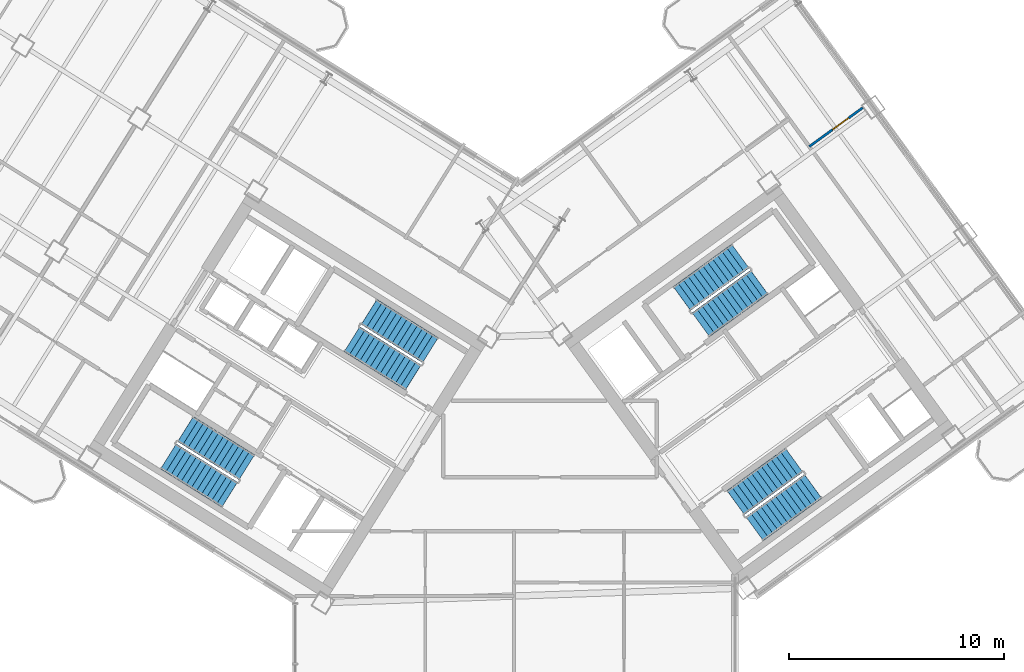
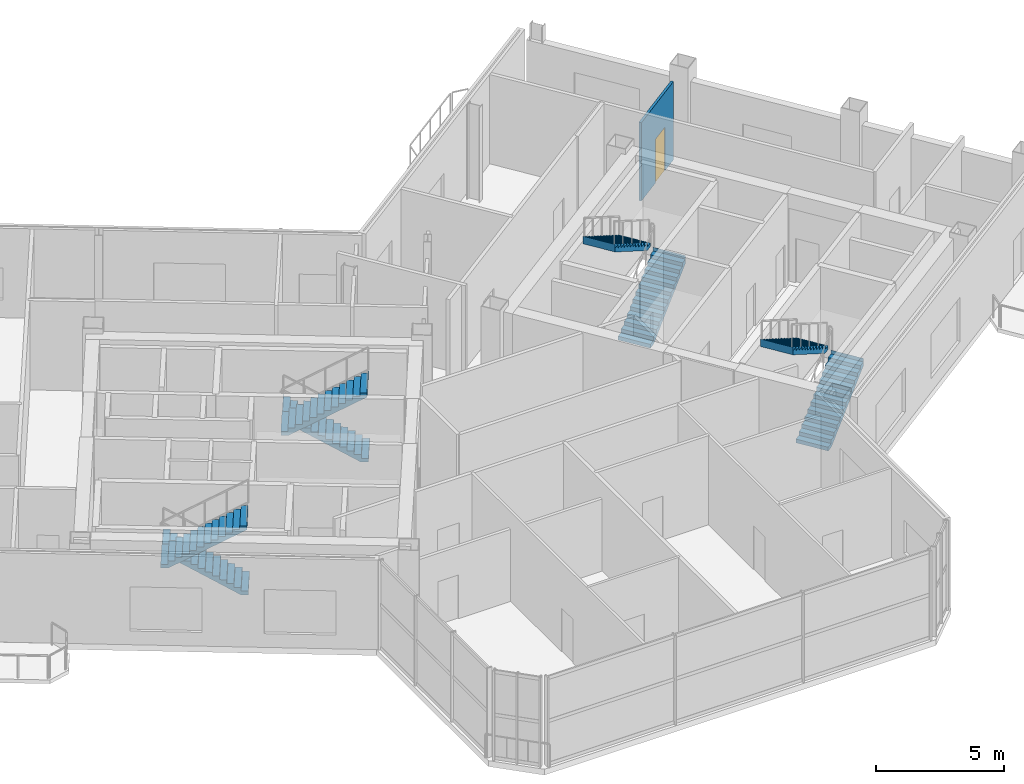
# One storey, part 16 of 21: 8 stair flights, 1 door, 1 wall, 1 opening, 4 elements without a shape of their own.
"""IFC4 building model written with IfcOpenShell, lengths in metres."""

from ifc_helpers import new_model, si_unit, direction, frame, frame_2d, origin, place, context, subcontext, project, spatial, polyline, rectangle, outline, extrude, source, transform, mapped, material, layer, layer_set, type_object, element, fill, aggregate, save


model = new_model("IFC4")

# Units and contexts
model_context = context("Model", 3, precision=1e-05, world=origin(), true_north=direction((0.0, 1.0)))
body_context = subcontext(model_context, "Body", "Model", "MODEL_VIEW")
ifc_project = project(units=[si_unit("LENGTHUNIT", "METRE"), si_unit("AREAUNIT", "SQUARE_METRE"), si_unit("VOLUMEUNIT", "CUBIC_METRE"), si_unit("PLANEANGLEUNIT", "RADIAN"), si_unit("MASSUNIT", "GRAM", prefix="KILO")], contexts=[model_context])

# Site, building, storey
site_placement = place(None, origin())
site = spatial("IfcSite", under=ifc_project, at=site_placement, CompositionType="ELEMENT")
building_placement = place(site_placement, origin())
building = spatial("IfcBuilding", under=site, at=building_placement, Name="Tlacorven Tower", CompositionType="ELEMENT")
storey_placement = place(building_placement, frame((0.0, 0.0, 199.5)))
storey = spatial("IfcBuildingStorey", under=building, at=storey_placement, Name="L50", CompositionType="ELEMENT", Elevation=199.5)

# Wall, opening, door
ifc_material_1 = material(Name="Gypsum plasterboard partition", Category="gypsum")
ifc_layer = layer(ifc_material_1, 0.110107421875)
ifc_layer_set = layer_set([ifc_layer], Name="Gypsum plasterboard partition")
wall_type = type_object("IfcWallType", Name="WL-INT-110", PredefinedType="PARTITIONING", material=ifc_layer_set)
wall_placement = place(storey_placement, frame((55.70263671875, 33.333984375, 0.0), z_axis=(0.0, 0.0, 1.0), x_axis=(0.809044670406, 0.587747157618, 0.0)))
wall = element("IfcWall", 1, at=wall_placement, inside=storey, type_object=wall_type, Name="L50 partition 89", PredefinedType="PARTITIONING", context=body_context, shape_type="SweptSolid", body=[
    extrude(rectangle(XDim=3.077880859375, YDim=0.110107421875, at=frame_2d((1.5390625, 0.0))), origin(), (0.0, 0.0, 1.0), 3.72509765625),
])
opening_placement = place(wall_placement, frame((1.344970703125, 0.0, 0.0)))
opening = element("IfcOpeningElement", 2, at=opening_placement, cuts=wall, Name="Opening D12", PredefinedType="OPENING", context=body_context, shape_type="SweptSolid", body=[
    extrude(rectangle(XDim=0.919921875, YDim=2.080078125, at=frame_2d((0.4599609375, 1.0400390625))), frame((0.0, 0.06494140625, 0.0), z_axis=(0.0, -1.0, 0.0), x_axis=(1.0, 0.0, 0.0)), (0.0, 0.0, 1.0), 0.130126953125),
])
ifc_material_2 = material(Name="Powder-coated aluminium and timber door", Category="wood")
door_type = type_object("IfcDoorType", Name="DR-INT-ROOM-0920", OperationType="NOTDEFINED", PredefinedType="DOOR", material=ifc_material_2)
shared_shape_1 = source(origin(), body_context, "Body", "SweptSolid", [
    extrude(rectangle(XDim=0.919921875, YDim=2.080078125, at=frame_2d((0.4599609375, 1.0400390625))), frame((0.0, 0.02490234375, 0.0), z_axis=(0.0, -1.0, 0.0), x_axis=(1.0, 0.0, 0.0)), (0.0, 0.0, 1.0), 0.050048828125),
])
door_placement = place(opening_placement, origin())
door = element("IfcDoor", 3, at=door_placement, inside=storey, type_object=door_type, Name="L50 door 055", OperationType="SINGLE_SWING_LEFT", OverallHeight=2.080078125, OverallWidth=0.919921875, PredefinedType="DOOR", context=body_context, shape_type="MappedRepresentation", body=[
    mapped(shared_shape_1, transform((0.0, 0.0, 0.0), scale=1.0)),
])
fill(opening, door)

# Stair, stair flights
ifc_material_3 = material(Name="Concrete C40/50", Category="concrete")
stair_type = type_object("IfcStairType", Name="ST-CORE-DLG", PredefinedType="HALF_TURN_STAIR", material=ifc_material_3)
stair_1_placement = place(storey_placement, origin())
stair_1 = element("IfcStair", 4, at=stair_1_placement, inside=storey, type_object=stair_type, Name="L50 Protected Exit Stair West 1", PredefinedType="HALF_TURN_STAIR")
stair_flight_type = type_object("IfcStairFlightType", Name="SFL-RC-1380", PredefinedType="STRAIGHT", material=ifc_material_3)
shared_shape_2 = source(origin(), body_context, "Body", "SweptSolid", [
    extrude(outline(polyline([(-0.0029296875, -0.0029296875), (-0.0029296875, 0.173095703125), (0.280029296875, 0.173095703125), (0.280029296875, 0.34619140625), (0.56005859375, 0.34619140625), (0.56005859375, 0.519287109375), (0.840087890625, 0.519287109375), (0.840087890625, 0.6923828125), (1.1201171875, 0.6923828125), (1.1201171875, 0.865478515625), (1.39990234375, 0.865478515625), (1.39990234375, 1.03857421875), (1.679931640625, 1.03857421875), (1.679931640625, 1.21142578125), (1.9599609375, 1.21142578125), (1.9599609375, 1.384521484375), (2.239990234375, 1.384521484375), (2.239990234375, 1.5576171875), (2.52001953125, 1.5576171875), (2.52001953125, 1.730712890625), (2.800048828125, 1.730712890625), (2.800048828125, 1.90380859375), (3.080078125, 1.90380859375), (3.080078125, 2.076904296875), (3.360107421875, 2.076904296875), (3.360107421875, 2.25), (3.363037109375, 2.25), (3.363037109375, 1.888916015625), (3.360107421875, 1.888916015625), (0.30419921875, 0.0), (0.30419921875, -0.0029296875), (-0.0029296875, -0.0029296875)])), frame((0.0, 0.68994140625, 0.0), z_axis=(0.0, -1.0, 0.0), x_axis=(1.0, 0.0, 0.0)), (0.0, 0.0, 1.0), 1.3798828125),
])
stair_flight_1_placement = place(storey_placement, frame((29.499755859375, 18.39453125, 0.0), z_axis=(0.0, 0.0, 1.0), x_axis=(-0.848048096156, 0.529919264233, 0.0)))
stair_flight_1 = element("IfcStairFlight", 5, at=stair_flight_1_placement, type_object=stair_flight_type, Name="ST-W1 flight 1", NumberOfRisers=13, NumberOfTreads=12, PredefinedType="STRAIGHT", RiserHeight=0.173076923, TreadLength=0.28, context=body_context, shape_type="MappedRepresentation", body=[
    mapped(shared_shape_2, transform((0.0, 0.0, 0.0), scale=1.0)),
])
stair_flight_2_placement = place(storey_placement, frame((25.85546875, 18.903076171875, 2.25), z_axis=(0.0, 0.0, 1.0), x_axis=(0.848048096156, -0.529919264233, 0.0)))
stair_flight_2 = element("IfcStairFlight", 6, at=stair_flight_2_placement, type_object=stair_flight_type, Name="ST-W1 flight 2", NumberOfRisers=13, NumberOfTreads=12, PredefinedType="STRAIGHT", RiserHeight=0.173076923, TreadLength=0.28, context=body_context, shape_type="MappedRepresentation", body=[
    mapped(shared_shape_2, transform((0.0, 0.0, 0.0), scale=1.0)),
])
aggregate(stair_1, [stair_flight_1, stair_flight_2])

stair_2_placement = place(storey_placement, origin())
stair_2 = element("IfcStair", 7, at=stair_2_placement, inside=storey, type_object=stair_type, Name="L50 Protected Exit Stair West 2", PredefinedType="HALF_TURN_STAIR")
stair_flight_3_placement = place(storey_placement, frame((38.051513671875, 23.852294921875, 0.0), z_axis=(0.0, 0.0, 1.0), x_axis=(-0.848048096156, 0.529919264233, 0.0)))
stair_flight_3 = element("IfcStairFlight", 8, at=stair_flight_3_placement, type_object=stair_flight_type, Name="ST-W2 flight 1", NumberOfRisers=13, NumberOfTreads=12, PredefinedType="STRAIGHT", RiserHeight=0.173076923, TreadLength=0.28, context=body_context, shape_type="MappedRepresentation", body=[
    mapped(shared_shape_2, transform((0.0, 0.0, 0.0), scale=1.0)),
])
stair_flight_4_placement = place(storey_placement, frame((34.406982421875, 24.36083984375, 2.25), z_axis=(0.0, 0.0, 1.0), x_axis=(0.848048096156, -0.529919264233, 0.0)))
stair_flight_4 = element("IfcStairFlight", 9, at=stair_flight_4_placement, type_object=stair_flight_type, Name="ST-W2 flight 2", NumberOfRisers=13, NumberOfTreads=12, PredefinedType="STRAIGHT", RiserHeight=0.173076923, TreadLength=0.28, context=body_context, shape_type="MappedRepresentation", body=[
    mapped(shared_shape_2, transform((0.0, 0.0, 0.0), scale=1.0)),
])
aggregate(stair_2, [stair_flight_3, stair_flight_4])

stair_3_placement = place(storey_placement, origin())
stair_3 = element("IfcStair", 10, at=stair_3_placement, inside=storey, type_object=stair_type, Name="L50 Protected Exit Stair East 1", PredefinedType="HALF_TURN_STAIR")
stair_flight_5_placement = place(storey_placement, frame((50.6533203125, 25.0400390625, 0.0), z_axis=(0.0, 0.0, 1.0), x_axis=(0.809016994375, 0.587785252292, 0.0)))
stair_flight_5 = element("IfcStairFlight", 11, at=stair_flight_5_placement, type_object=stair_flight_type, Name="ST-E1 flight 1", NumberOfRisers=13, NumberOfTreads=12, PredefinedType="STRAIGHT", RiserHeight=0.173076923, TreadLength=0.28, context=body_context, shape_type="MappedRepresentation", body=[
    mapped(shared_shape_2, transform((0.0, 0.0, 0.0), scale=1.0)),
])
stair_flight_6_placement = place(storey_placement, frame((52.489990234375, 28.228515625, 2.25), z_axis=(0.0, 0.0, 1.0), x_axis=(-0.809016994375, -0.587785252292, 0.0)))
stair_flight_6 = element("IfcStairFlight", 12, at=stair_flight_6_placement, type_object=stair_flight_type, Name="ST-E1 flight 2", NumberOfRisers=13, NumberOfTreads=12, PredefinedType="STRAIGHT", RiserHeight=0.173076923, TreadLength=0.28, context=body_context, shape_type="MappedRepresentation", body=[
    mapped(shared_shape_2, transform((0.0, 0.0, 0.0), scale=1.0)),
])
aggregate(stair_3, [stair_flight_5, stair_flight_6])

stair_4_placement = place(storey_placement, origin())
stair_4 = element("IfcStair", 13, at=stair_4_placement, inside=storey, type_object=stair_type, Name="L50 Protected Exit Stair East 2", PredefinedType="HALF_TURN_STAIR")
stair_flight_7_placement = place(storey_placement, frame((53.157470703125, 15.536865234375, 0.0), z_axis=(0.0, 0.0, 1.0), x_axis=(0.809016994375, 0.587785252292, 0.0)))
stair_flight_7 = element("IfcStairFlight", 14, at=stair_flight_7_placement, type_object=stair_flight_type, Name="ST-E2 flight 1", NumberOfRisers=13, NumberOfTreads=12, PredefinedType="STRAIGHT", RiserHeight=0.173076923, TreadLength=0.28, context=body_context, shape_type="MappedRepresentation", body=[
    mapped(shared_shape_2, transform((0.0, 0.0, 0.0), scale=1.0)),
])
stair_flight_8_placement = place(storey_placement, frame((54.994140625, 18.725341796875, 2.25), z_axis=(0.0, 0.0, 1.0), x_axis=(-0.809016994375, -0.587785252292, 0.0)))
stair_flight_8 = element("IfcStairFlight", 15, at=stair_flight_8_placement, type_object=stair_flight_type, Name="ST-E2 flight 2", NumberOfRisers=13, NumberOfTreads=12, PredefinedType="STRAIGHT", RiserHeight=0.173076923, TreadLength=0.28, context=body_context, shape_type="MappedRepresentation", body=[
    mapped(shared_shape_2, transform((0.0, 0.0, 0.0), scale=1.0)),
])
aggregate(stair_4, [stair_flight_7, stair_flight_8])

save(model, "model.ifc")
